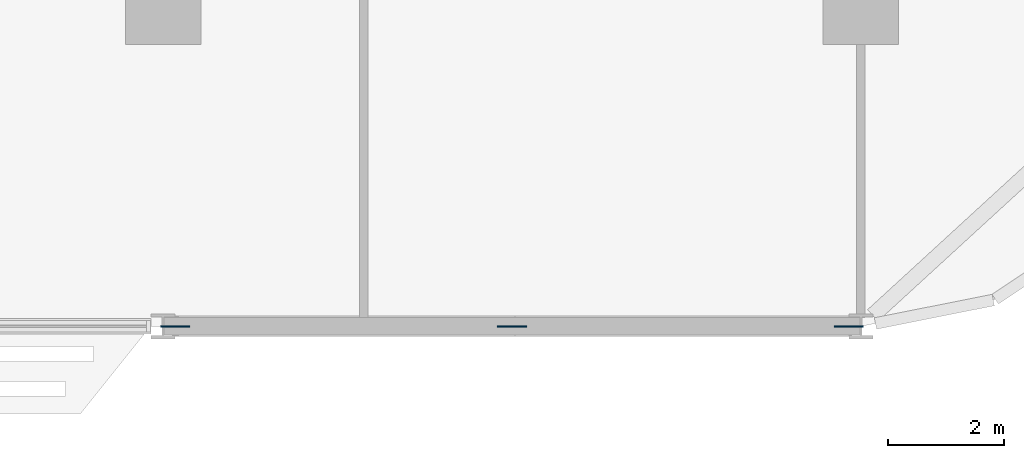
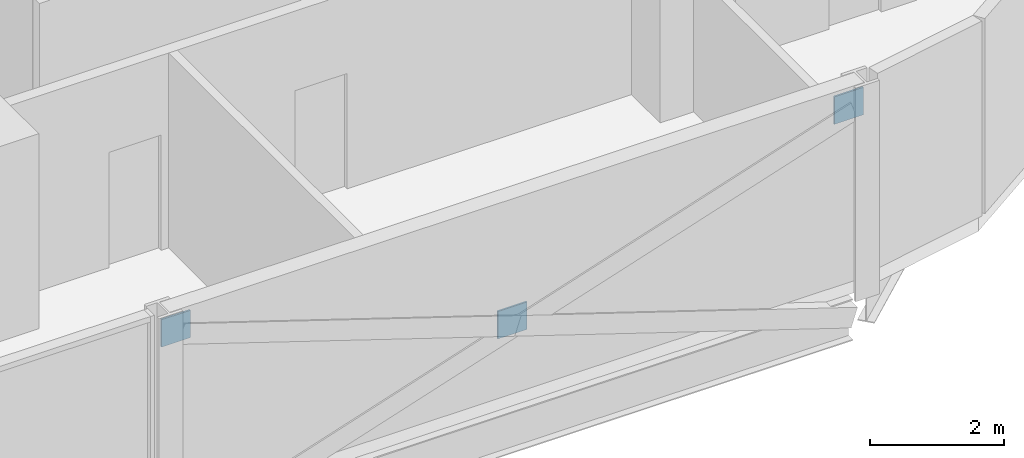
# One storey, part 23 of 29: 3 discrete accessories.
"""IFC4 building model written with IfcOpenShell, lengths in metres."""

from ifc_helpers import new_model, si_unit, direction, frame, origin, origin_2d, place, context, subcontext, project, spatial, rectangle, extrude, material, layer, layer_set, type_object, element, save


model = new_model("IFC4")

# Units and contexts
model_context = context("Model", 3, precision=1e-05, world=origin(), true_north=direction((0.0, 1.0)))
body_context = subcontext(model_context, "Body", "Model", "MODEL_VIEW")
ifc_project = project(units=[si_unit("LENGTHUNIT", "METRE"), si_unit("AREAUNIT", "SQUARE_METRE"), si_unit("VOLUMEUNIT", "CUBIC_METRE"), si_unit("PLANEANGLEUNIT", "RADIAN"), si_unit("MASSUNIT", "GRAM", prefix="KILO")], contexts=[model_context])

# Site, building, storey
site_placement = place(None, origin())
site = spatial("IfcSite", under=ifc_project, at=site_placement, CompositionType="ELEMENT")
building_placement = place(site_placement, origin())
building = spatial("IfcBuilding", under=site, at=building_placement, Name="Mahtab Terrace Research Tower", CompositionType="ELEMENT")
storey_placement = place(building_placement, frame((0.0, 0.0, 150.699951171875)))
storey = spatial("IfcBuildingStorey", under=building, at=storey_placement, Name="L35", CompositionType="ELEMENT", Elevation=150.699951171875)

# Discrete accessories
ifc_material = material(Name="Steel ASTM A992 Gr 50", Category="steel")
ifc_layer = layer(ifc_material, 0.030029296875)
ifc_layer_set = layer_set([ifc_layer], Name="Gusset plate 500x500x30")
discrete_accessory_type = type_object("IfcDiscreteAccessoryType", Name="Gusset plate 500x500x30", PredefinedType="USERDEFINED", material=ifc_layer_set)
for number, where, z_axis, x_axis, name in (
    (1, (30.205810546875, -17.0, 2.85498046875), (0.0, 0.0, 1.0), (1.0, 0.0, 0.0), "Gusset plate"),
    (2, (36.0, -17.0, 0.9765625), (0.0, 0.0, 1.0), (1.0, 0.0, 0.0), "Gusset plate"),
    (3, (41.794189453125, -17.0, 2.85498046875), (0.0, 0.0, 1.0), (1.0, 0.0, 0.0), "Gusset plate"),
):
    element("IfcDiscreteAccessory", number, at=place(storey_placement, frame(where, z_axis=z_axis, x_axis=x_axis)), inside=storey, type_object=discrete_accessory_type, Name=name, ObjectType="GUSSET PLATE", PredefinedType="USERDEFINED", context=body_context, shape_type="SweptSolid", body=[
        extrude(rectangle(XDim=0.5, YDim=0.030029296875, at=origin_2d()), origin(), (0.0, 0.0, 1.0), 0.5),
    ])

save(model, "model.ifc")
